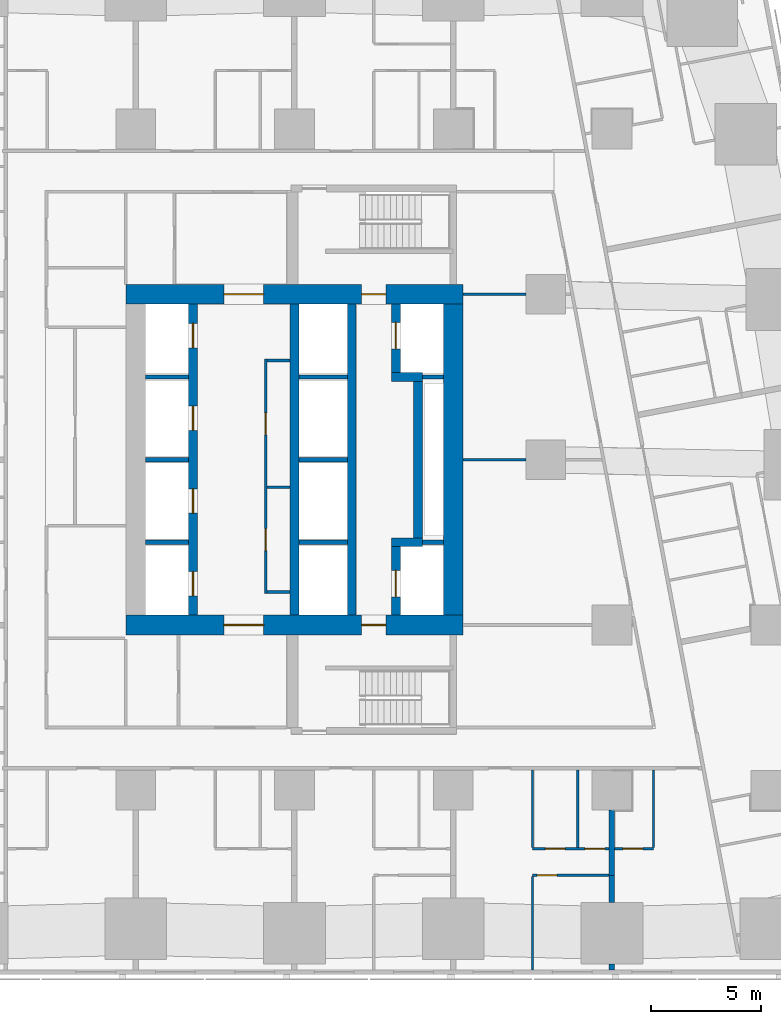
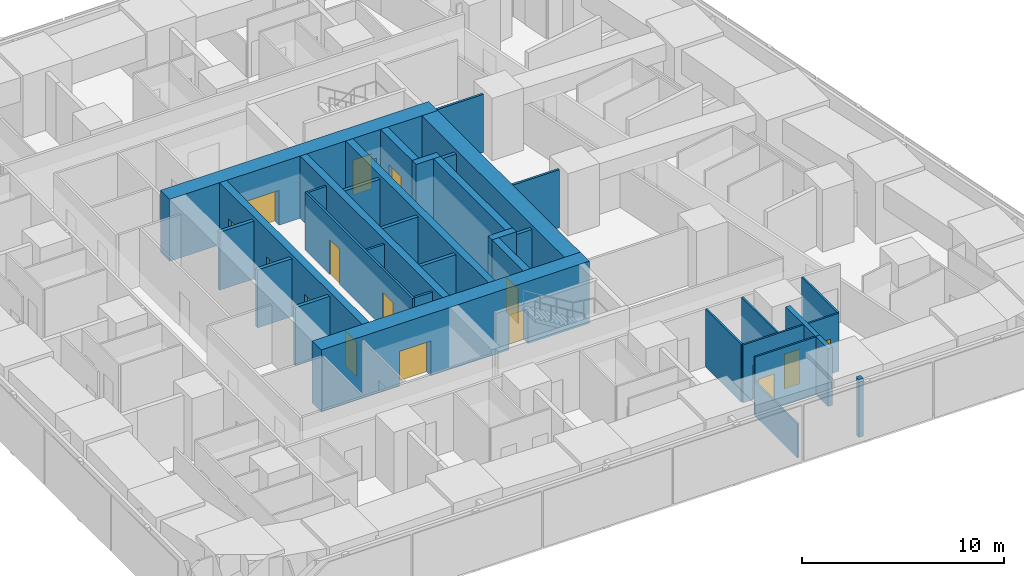
# One storey, part 5 of 15: 35 walls, 16 doors, 16 openings.
"""IFC4 building model written with IfcOpenShell, lengths in metres."""

from ifc_helpers import new_model, si_unit, direction, frame, frame_2d, origin, place, context, subcontext, project, spatial, rectangle, extrude, material, layer, layer_set, type_object, element, fill, save


model = new_model("IFC4")

# Units and contexts
model_context = context("Model", 3, precision=1e-05, world=origin(), true_north=direction((0.0, 1.0)))
body_context = subcontext(model_context, "Body", "Model", "MODEL_VIEW")
ifc_project = project(units=[si_unit("LENGTHUNIT", "METRE"), si_unit("AREAUNIT", "SQUARE_METRE"), si_unit("VOLUMEUNIT", "CUBIC_METRE"), si_unit("PLANEANGLEUNIT", "RADIAN"), si_unit("MASSUNIT", "GRAM", prefix="KILO")], contexts=[model_context])

# Site, building, storey
site_placement = place(None, origin())
site = spatial("IfcSite", under=ifc_project, at=site_placement, CompositionType="ELEMENT")
building_placement = place(site_placement, origin())
building = spatial("IfcBuilding", under=site, at=building_placement, Name="Sheger Commons Tower", CompositionType="ELEMENT")
storey_placement = place(building_placement, frame((0.0, 0.0, 50.0)))
storey = spatial("IfcBuildingStorey", under=building, at=storey_placement, Name="L12", CompositionType="ELEMENT", Elevation=50.0)

# Wall, openings, doors
ifc_material_1 = material(Name="Concrete C50/60", Category="concrete")
ifc_layer_1 = layer(ifc_material_1, 0.39990234375)
ifc_layer_set_1 = layer_set([ifc_layer_1], Name="CORE INNER WALL 400")
wall_type_1 = type_object("IfcWallType", Name="CORE INNER WALL 400", PredefinedType="SHEAR", material=ifc_layer_set_1)
wall_1_placement = place(storey_placement, frame((17.0, 15.449951171875, 0.0), z_axis=(0.0, 0.0, 1.0), x_axis=(0.0, 1.0, 0.0)))
wall_1 = element("IfcWall", 1, at=wall_1_placement, inside=storey, type_object=wall_type_1, Name="Core inner wall A L12", PredefinedType="SHEAR", context=body_context, shape_type="SweptSolid", body=[
    extrude(rectangle(XDim=14.10009765625, YDim=0.39990234375, at=frame_2d((7.050048828125, 0.0))), origin(), (0.0, 0.0, 1.0), 3.75),
])
opening_1_placement = place(wall_1_placement, frame((0.875, 0.0, 0.0)))
opening_1 = element("IfcOpeningElement", 2, at=opening_1_placement, cuts=wall_1, Name="Opening LD", PredefinedType="OPENING", context=body_context, shape_type="SweptSolid", body=[
    extrude(rectangle(XDim=1.10009765625, YDim=2.10009765625, at=frame_2d((0.550048828125, 1.050048828125))), frame((0.0, 0.2099609375, 0.0), z_axis=(0.0, -1.0, 0.0), x_axis=(1.0, 0.0, 0.0)), (0.0, 0.0, 1.0), 0.419921875),
])
opening_2_placement = place(wall_1_placement, frame((4.625, 0.0, 0.0)))
opening_2 = element("IfcOpeningElement", 3, at=opening_2_placement, cuts=wall_1, Name="Opening LD", PredefinedType="OPENING", context=body_context, shape_type="SweptSolid", body=[
    extrude(rectangle(XDim=1.10009765625, YDim=2.10009765625, at=frame_2d((0.550048828125, 1.050048828125))), frame((0.0, 0.2099609375, 0.0), z_axis=(0.0, -1.0, 0.0), x_axis=(1.0, 0.0, 0.0)), (0.0, 0.0, 1.0), 0.419921875),
])
opening_3_placement = place(wall_1_placement, frame((8.375, 0.0, 0.0)))
opening_3 = element("IfcOpeningElement", 4, at=opening_3_placement, cuts=wall_1, Name="Opening LD", PredefinedType="OPENING", context=body_context, shape_type="SweptSolid", body=[
    extrude(rectangle(XDim=1.10009765625, YDim=2.10009765625, at=frame_2d((0.550048828125, 1.050048828125))), frame((0.0, 0.2099609375, 0.0), z_axis=(0.0, -1.0, 0.0), x_axis=(1.0, 0.0, 0.0)), (0.0, 0.0, 1.0), 0.419921875),
])
opening_4_placement = place(wall_1_placement, frame((12.125, 0.0, 0.0)))
opening_4 = element("IfcOpeningElement", 5, at=opening_4_placement, cuts=wall_1, Name="Opening LD", PredefinedType="OPENING", context=body_context, shape_type="SweptSolid", body=[
    extrude(rectangle(XDim=1.10009765625, YDim=2.10009765625, at=frame_2d((0.550048828125, 1.050048828125))), frame((0.0, 0.2099609375, 0.0), z_axis=(0.0, -1.0, 0.0), x_axis=(1.0, 0.0, 0.0)), (0.0, 0.0, 1.0), 0.419921875),
])
ifc_material_2 = material(Name="Steel door set, fire rated", Category="steel")
door_type_1 = type_object("IfcDoorType", Name="LIFT LANDING DOOR 1100x2100", OperationType="DOUBLE_DOOR_SLIDING", PredefinedType="DOOR", material=ifc_material_2)
door_1_placement = place(opening_1_placement, origin())
door_1 = element("IfcDoor", 6, at=door_1_placement, inside=storey, type_object=door_type_1, Name="Lift LA1 landing door", OperationType="DOUBLE_DOOR_SLIDING", OverallHeight=2.10009765625, OverallWidth=1.10009765625, PredefinedType="DOOR", context=body_context, shape_type="SweptSolid", body=[
    extrude(rectangle(XDim=1.10009765625, YDim=2.10009765625, at=frame_2d((0.550048828125, 1.050048828125))), frame((0.0, 0.02490234375, 0.0), z_axis=(0.0, -1.0, 0.0), x_axis=(1.0, 0.0, 0.0)), (0.0, 0.0, 1.0), 0.050048828125),
])
fill(opening_1, door_1)
door_2_placement = place(opening_2_placement, origin())
door_2 = element("IfcDoor", 7, at=door_2_placement, inside=storey, type_object=door_type_1, Name="Lift LA2 landing door", OperationType="DOUBLE_DOOR_SLIDING", OverallHeight=2.10009765625, OverallWidth=1.10009765625, PredefinedType="DOOR", context=body_context, shape_type="SweptSolid", body=[
    extrude(rectangle(XDim=1.10009765625, YDim=2.10009765625, at=frame_2d((0.550048828125, 1.050048828125))), frame((0.0, 0.02490234375, 0.0), z_axis=(0.0, -1.0, 0.0), x_axis=(1.0, 0.0, 0.0)), (0.0, 0.0, 1.0), 0.050048828125),
])
fill(opening_2, door_2)
door_3_placement = place(opening_3_placement, origin())
door_3 = element("IfcDoor", 8, at=door_3_placement, inside=storey, type_object=door_type_1, Name="Lift LA3 landing door", OperationType="DOUBLE_DOOR_SLIDING", OverallHeight=2.10009765625, OverallWidth=1.10009765625, PredefinedType="DOOR", context=body_context, shape_type="SweptSolid", body=[
    extrude(rectangle(XDim=1.10009765625, YDim=2.10009765625, at=frame_2d((0.550048828125, 1.050048828125))), frame((0.0, 0.02490234375, 0.0), z_axis=(0.0, -1.0, 0.0), x_axis=(1.0, 0.0, 0.0)), (0.0, 0.0, 1.0), 0.050048828125),
])
fill(opening_3, door_3)
door_4_placement = place(opening_4_placement, origin())
door_4 = element("IfcDoor", 9, at=door_4_placement, inside=storey, type_object=door_type_1, Name="Lift LA4 landing door", OperationType="DOUBLE_DOOR_SLIDING", OverallHeight=2.10009765625, OverallWidth=1.10009765625, PredefinedType="DOOR", context=body_context, shape_type="SweptSolid", body=[
    extrude(rectangle(XDim=1.10009765625, YDim=2.10009765625, at=frame_2d((0.550048828125, 1.050048828125))), frame((0.0, 0.02490234375, 0.0), z_axis=(0.0, -1.0, 0.0), x_axis=(1.0, 0.0, 0.0)), (0.0, 0.0, 1.0), 0.050048828125),
])
fill(opening_4, door_4)

# Walls
for number, where, z_axis, x_axis, name in (
    (10, (21.60009765625, 15.449951171875, 0.0), (0.0, 0.0, 1.0), (0.0, 1.0, 0.0), "Core inner wall L L12"),
    (11, (24.199951171875, 15.449951171875, 0.0), (0.0, 0.0, 1.0), (0.0, 1.0, 0.0), "Core inner wall B L12"),
):
    element("IfcWall", number, at=place(storey_placement, frame(where, z_axis=z_axis, x_axis=x_axis)), inside=storey, type_object=wall_type_1, Name=name, PredefinedType="SHEAR", context=body_context, shape_type="SweptSolid", body=[
        extrude(rectangle(XDim=14.10009765625, YDim=0.39990234375, at=frame_2d((7.050048828125, 0.0))), origin(), (0.0, 0.0, 1.0), 3.75),
    ])

# Wall, opening, door
wall_2_placement = place(storey_placement, frame((26.199951171875, 15.449951171875, 0.0), z_axis=(0.0, 0.0, 1.0), x_axis=(0.0, 1.0, 0.0)))
wall_2 = element("IfcWall", 12, at=wall_2_placement, inside=storey, type_object=wall_type_1, Name="Core inner wall F L12", PredefinedType="SHEAR", context=body_context, shape_type="SweptSolid", body=[
    extrude(rectangle(XDim=3.10009765625, YDim=0.39990234375, at=frame_2d((1.550048828125, 0.0))), origin(), (0.0, 0.0, 1.0), 3.75),
])
opening_5_placement = place(wall_2_placement, frame((0.824951171875, 0.0, 0.0)))
opening_5 = element("IfcOpeningElement", 13, at=opening_5_placement, cuts=wall_2, Name="Opening LD2", PredefinedType="OPENING", context=body_context, shape_type="SweptSolid", body=[
    extrude(rectangle(XDim=1.199951171875, YDim=2.10009765625, at=frame_2d((0.60009765625, 1.050048828125))), frame((0.0, 0.2099609375, 0.0), z_axis=(0.0, -1.0, 0.0), x_axis=(1.0, 0.0, 0.0)), (0.0, 0.0, 1.0), 0.419921875),
])
ifc_material_3 = material(Name="Steel door set, fire rated", Category="steel")
door_type_2 = type_object("IfcDoorType", Name="FIREFIGHTING LIFT LANDING DOOR 1200x2100", OperationType="DOUBLE_DOOR_SLIDING", PredefinedType="DOOR", material=ifc_material_3)
door_5_placement = place(opening_5_placement, origin())
door_5 = element("IfcDoor", 14, at=door_5_placement, inside=storey, type_object=door_type_2, Name="Lift FL1 landing door", OperationType="DOUBLE_DOOR_SLIDING", OverallHeight=2.10009765625, OverallWidth=1.199951171875, PredefinedType="DOOR", context=body_context, shape_type="SweptSolid", body=[
    extrude(rectangle(XDim=1.199951171875, YDim=2.10009765625, at=frame_2d((0.60009765625, 1.050048828125))), frame((0.0, 0.02490234375, 0.0), z_axis=(0.0, -1.0, 0.0), x_axis=(1.0, 0.0, 0.0)), (0.0, 0.0, 1.0), 0.050048828125),
])
fill(opening_5, door_5)

# Walls
wall_3_placement = place(storey_placement, frame((26.0, 18.75, 0.0), z_axis=(0.0, 0.0, 1.0), x_axis=(1.0, 0.0, 0.0)))
element("IfcWall", 15, at=wall_3_placement, inside=storey, type_object=wall_type_1, Name="Core inner wall F south return L12", PredefinedType="SHEAR", context=body_context, shape_type="SweptSolid", body=[
    extrude(rectangle(XDim=1.39990234375, YDim=0.39990234375, at=frame_2d((0.699951171875, 0.0))), origin(), (0.0, 0.0, 1.0), 3.75),
])
wall_4_placement = place(storey_placement, frame((27.199951171875, 18.949951171875, 0.0), z_axis=(0.0, 0.0, 1.0), x_axis=(0.0, 1.0, 0.0)))
element("IfcWall", 16, at=wall_4_placement, inside=storey, type_object=wall_type_1, Name="Core inner wall F middle L12", PredefinedType="SHEAR", context=body_context, shape_type="SweptSolid", body=[
    extrude(rectangle(XDim=7.10009765625, YDim=0.39990234375, at=frame_2d((3.550048828125, 0.0))), origin(), (0.0, 0.0, 1.0), 3.75),
])
wall_5_placement = place(storey_placement, frame((26.0, 26.25, 0.0), z_axis=(0.0, 0.0, 1.0), x_axis=(1.0, 0.0, 0.0)))
element("IfcWall", 17, at=wall_5_placement, inside=storey, type_object=wall_type_1, Name="Core inner wall F north return L12", PredefinedType="SHEAR", context=body_context, shape_type="SweptSolid", body=[
    extrude(rectangle(XDim=1.39990234375, YDim=0.39990234375, at=frame_2d((0.699951171875, 0.0))), origin(), (0.0, 0.0, 1.0), 3.75),
])

# Wall, opening, door
wall_6_placement = place(storey_placement, frame((26.199951171875, 26.449951171875, 0.0), z_axis=(0.0, 0.0, 1.0), x_axis=(0.0, 1.0, 0.0)))
wall_6 = element("IfcWall", 18, at=wall_6_placement, inside=storey, type_object=wall_type_1, Name="Core inner wall F north L12", PredefinedType="SHEAR", context=body_context, shape_type="SweptSolid", body=[
    extrude(rectangle(XDim=3.10009765625, YDim=0.39990234375, at=frame_2d((1.550048828125, 0.0))), origin(), (0.0, 0.0, 1.0), 3.75),
])
opening_6_placement = place(wall_6_placement, frame((1.074951171875, 0.0, 0.0)))
opening_6 = element("IfcOpeningElement", 19, at=opening_6_placement, cuts=wall_6, Name="Opening LD2", PredefinedType="OPENING", context=body_context, shape_type="SweptSolid", body=[
    extrude(rectangle(XDim=1.199951171875, YDim=2.10009765625, at=frame_2d((0.60009765625, 1.050048828125))), frame((0.0, 0.2099609375, 0.0), z_axis=(0.0, -1.0, 0.0), x_axis=(1.0, 0.0, 0.0)), (0.0, 0.0, 1.0), 0.419921875),
])
door_6_placement = place(opening_6_placement, origin())
door_6 = element("IfcDoor", 20, at=door_6_placement, inside=storey, type_object=door_type_2, Name="Lift FL2 landing door", OperationType="DOUBLE_DOOR_SLIDING", OverallHeight=2.10009765625, OverallWidth=1.199951171875, PredefinedType="DOOR", context=body_context, shape_type="SweptSolid", body=[
    extrude(rectangle(XDim=1.199951171875, YDim=2.10009765625, at=frame_2d((0.60009765625, 1.050048828125))), frame((0.0, 0.02490234375, 0.0), z_axis=(0.0, -1.0, 0.0), x_axis=(1.0, 0.0, 0.0)), (0.0, 0.0, 1.0), 0.050048828125),
])
fill(opening_6, door_6)

# Wall, openings, doors
ifc_material_4 = material(Name="Concrete C50/60", Category="concrete")
ifc_layer_2 = layer(ifc_material_4, 0.89990234375)
ifc_layer_set_2 = layer_set([ifc_layer_2], Name="CORE WALL 900")
wall_type_2 = type_object("IfcWallType", Name="CORE WALL 900", PredefinedType="SHEAR", material=ifc_layer_set_2)
wall_7_placement = place(storey_placement, frame((13.949951171875, 15.0, 0.0), z_axis=(0.0, 0.0, 1.0), x_axis=(1.0, 0.0, 0.0)))
wall_7 = element("IfcWall", 21, at=wall_7_placement, inside=storey, type_object=wall_type_2, Name="Core wall south L12", PredefinedType="SHEAR", context=body_context, shape_type="SweptSolid", body=[
    extrude(rectangle(XDim=15.300048828125, YDim=0.89990234375, at=frame_2d((7.64990234375, 0.0))), origin(), (0.0, 0.0, 1.0), 3.75),
])
opening_7_placement = place(wall_7_placement, frame((4.449951171875, 0.0, 0.0)))
opening_7 = element("IfcOpeningElement", 22, at=opening_7_placement, cuts=wall_7, Name="Opening D6", PredefinedType="OPENING", context=body_context, shape_type="SweptSolid", body=[
    extrude(rectangle(XDim=1.800048828125, YDim=2.10009765625, at=frame_2d((0.89990234375, 1.050048828125))), frame((0.0, 0.4599609375, 0.0), z_axis=(0.0, -1.0, 0.0), x_axis=(1.0, 0.0, 0.0)), (0.0, 0.0, 1.0), 0.919921875),
])
opening_8_placement = place(wall_7_placement, frame((10.699951171875, 0.0, 0.0)))
opening_8 = element("IfcOpeningElement", 23, at=opening_8_placement, cuts=wall_7, Name="Opening D5", PredefinedType="OPENING", context=body_context, shape_type="SweptSolid", body=[
    extrude(rectangle(XDim=1.10009765625, YDim=2.10009765625, at=frame_2d((0.550048828125, 1.050048828125))), frame((0.0, 0.4599609375, 0.0), z_axis=(0.0, -1.0, 0.0), x_axis=(1.0, 0.0, 0.0)), (0.0, 0.0, 1.0), 0.919921875),
])
ifc_material_5 = material(Name="Steel door set, fire rated", Category="steel")
door_type_3 = type_object("IfcDoorType", Name="LOBBY DOUBLE DOOR 1800x2100", OperationType="DOUBLE_DOOR_SINGLE_SWING", PredefinedType="DOOR", material=ifc_material_5)
door_7_placement = place(opening_7_placement, origin())
door_7 = element("IfcDoor", 24, at=door_7_placement, inside=storey, type_object=door_type_3, Name="Lift lobby door", OperationType="DOUBLE_DOOR_SINGLE_SWING", OverallHeight=2.10009765625, OverallWidth=1.800048828125, PredefinedType="DOOR", context=body_context, shape_type="SweptSolid", body=[
    extrude(rectangle(XDim=1.800048828125, YDim=2.10009765625, at=frame_2d((0.89990234375, 1.050048828125))), frame((0.0, 0.02490234375, 0.0), z_axis=(0.0, -1.0, 0.0), x_axis=(1.0, 0.0, 0.0)), (0.0, 0.0, 1.0), 0.050048828125),
])
fill(opening_7, door_7)
ifc_material_6 = material(Name="Steel door set, fire rated", Category="steel")
door_type_4 = type_object("IfcDoorType", Name="STAIR DOOR 1100x2100", OperationType="NOTDEFINED", PredefinedType="DOOR", material=ifc_material_6)
door_8_placement = place(opening_8_placement, origin())
door_8 = element("IfcDoor", 25, at=door_8_placement, inside=storey, type_object=door_type_4, Name="Fire-fighting lobby door", OperationType="SINGLE_SWING_LEFT", OverallHeight=2.10009765625, OverallWidth=1.10009765625, PredefinedType="DOOR", context=body_context, shape_type="SweptSolid", body=[
    extrude(rectangle(XDim=1.10009765625, YDim=2.10009765625, at=frame_2d((0.550048828125, 1.050048828125))), frame((0.0, 0.02490234375, 0.0), z_axis=(0.0, -1.0, 0.0), x_axis=(1.0, 0.0, 0.0)), (0.0, 0.0, 1.0), 0.050048828125),
])
fill(opening_8, door_8)

wall_8_placement = place(storey_placement, frame((13.949951171875, 30.0, 0.0), z_axis=(0.0, 0.0, 1.0), x_axis=(1.0, 0.0, 0.0)))
wall_8 = element("IfcWall", 26, at=wall_8_placement, inside=storey, type_object=wall_type_2, Name="Core wall north L12", PredefinedType="SHEAR", context=body_context, shape_type="SweptSolid", body=[
    extrude(rectangle(XDim=15.300048828125, YDim=0.89990234375, at=frame_2d((7.64990234375, 0.0))), origin(), (0.0, 0.0, 1.0), 3.75),
])
opening_9_placement = place(wall_8_placement, frame((4.449951171875, 0.0, 0.0)))
opening_9 = element("IfcOpeningElement", 27, at=opening_9_placement, cuts=wall_8, Name="Opening D6", PredefinedType="OPENING", context=body_context, shape_type="SweptSolid", body=[
    extrude(rectangle(XDim=1.800048828125, YDim=2.10009765625, at=frame_2d((0.89990234375, 1.050048828125))), frame((0.0, 0.4599609375, 0.0), z_axis=(0.0, -1.0, 0.0), x_axis=(1.0, 0.0, 0.0)), (0.0, 0.0, 1.0), 0.919921875),
])
opening_10_placement = place(wall_8_placement, frame((10.699951171875, 0.0, 0.0)))
opening_10 = element("IfcOpeningElement", 28, at=opening_10_placement, cuts=wall_8, Name="Opening D5", PredefinedType="OPENING", context=body_context, shape_type="SweptSolid", body=[
    extrude(rectangle(XDim=1.10009765625, YDim=2.10009765625, at=frame_2d((0.550048828125, 1.050048828125))), frame((0.0, 0.4599609375, 0.0), z_axis=(0.0, -1.0, 0.0), x_axis=(1.0, 0.0, 0.0)), (0.0, 0.0, 1.0), 0.919921875),
])
door_9_placement = place(opening_9_placement, origin())
door_9 = element("IfcDoor", 29, at=door_9_placement, inside=storey, type_object=door_type_3, Name="Lift lobby door", OperationType="DOUBLE_DOOR_SINGLE_SWING", OverallHeight=2.10009765625, OverallWidth=1.800048828125, PredefinedType="DOOR", context=body_context, shape_type="SweptSolid", body=[
    extrude(rectangle(XDim=1.800048828125, YDim=2.10009765625, at=frame_2d((0.89990234375, 1.050048828125))), frame((0.0, 0.02490234375, 0.0), z_axis=(0.0, -1.0, 0.0), x_axis=(1.0, 0.0, 0.0)), (0.0, 0.0, 1.0), 0.050048828125),
])
fill(opening_9, door_9)
door_10_placement = place(opening_10_placement, origin())
door_10 = element("IfcDoor", 30, at=door_10_placement, inside=storey, type_object=door_type_4, Name="Fire-fighting lobby door", OperationType="SINGLE_SWING_LEFT", OverallHeight=2.10009765625, OverallWidth=1.10009765625, PredefinedType="DOOR", context=body_context, shape_type="SweptSolid", body=[
    extrude(rectangle(XDim=1.10009765625, YDim=2.10009765625, at=frame_2d((0.550048828125, 1.050048828125))), frame((0.0, 0.02490234375, 0.0), z_axis=(0.0, -1.0, 0.0), x_axis=(1.0, 0.0, 0.0)), (0.0, 0.0, 1.0), 0.050048828125),
])
fill(opening_10, door_10)

# Walls
wall_9_placement = place(storey_placement, frame((28.800048828125, 15.449951171875, 0.0), z_axis=(0.0, 0.0, 1.0), x_axis=(0.0, 1.0, 0.0)))
element("IfcWall", 31, at=wall_9_placement, inside=storey, type_object=wall_type_2, Name="Core wall east L12", PredefinedType="SHEAR", context=body_context, shape_type="SweptSolid", body=[
    extrude(rectangle(XDim=14.10009765625, YDim=0.89990234375, at=frame_2d((7.050048828125, 0.0))), origin(), (0.0, 0.0, 1.0), 3.75),
])
ifc_material_7 = material(Name="Dense concrete block masonry, plastered both sides (separating wall between flats)", Category="masonry")
ifc_layer_3 = layer(ifc_material_7, 0.25)
ifc_layer_set_3 = layer_set([ifc_layer_3], Name="DEMISING WALL 250")
wall_type_3 = type_object("IfcWallType", Name="DEMISING WALL 250", PredefinedType="SOLIDWALL", material=ifc_layer_set_3)
wall_10_placement = place(storey_placement, frame((36.0, -0.64990234375, 0.0), z_axis=(0.0, 0.0, 1.0), x_axis=(0.0, 1.0, 0.0)))
element("IfcWall", 32, at=wall_10_placement, inside=storey, type_object=wall_type_3, Name="Demising wall L12", PredefinedType="SOLIDWALL", context=body_context, shape_type="SweptSolid", body=[
    extrude(rectangle(XDim=0.27392578125, YDim=0.25, at=frame_2d((0.136962890625, 0.0))), origin(), (0.0, 0.0, 1.0), 3.5),
])
wall_11_placement = place(storey_placement, frame((36.0, 2.426025390625, 0.0), z_axis=(0.0, 0.0, 1.0), x_axis=(0.0, 1.0, 0.0)))
element("IfcWall", 33, at=wall_11_placement, inside=storey, type_object=wall_type_3, Name="Demising wall L12", PredefinedType="SOLIDWALL", context=body_context, shape_type="SweptSolid", body=[
    extrude(rectangle(XDim=1.223876953125, YDim=0.25, at=frame_2d((0.61181640625, 0.0))), origin(), (0.0, 0.0, 1.0), 3.5),
])
wall_12_placement = place(storey_placement, frame((36.0, 3.64990234375, 0.0), z_axis=(0.0, 0.0, 1.0), x_axis=(0.0, 1.0, 0.0)))
element("IfcWall", 34, at=wall_12_placement, inside=storey, type_object=wall_type_3, Name="Demising wall L12", PredefinedType="SOLIDWALL", context=body_context, shape_type="SweptSolid", body=[
    extrude(rectangle(XDim=2.94921875, YDim=0.25, at=frame_2d((1.474609375, 0.0))), origin(), (0.0, 0.0, 1.0), 3.5),
])

# Wall, opening, door
ifc_material_8 = material(Name="Gypsum board on steel studs", Category="steel")
ifc_layer_4 = layer(ifc_material_8, 0.10009765625)
ifc_layer_set_4 = layer_set([ifc_layer_4], Name="PARTITION 100")
wall_type_4 = type_object("IfcWallType", Name="PARTITION 100", PredefinedType="PARTITIONING", material=ifc_layer_set_4)
wall_13_placement = place(storey_placement, frame((35.875, 3.64990234375, 0.0), z_axis=(0.0, 0.0, 1.0), x_axis=(-1.0, 0.0, 0.0)))
wall_13 = element("IfcWall", 35, at=wall_13_placement, inside=storey, type_object=wall_type_4, Name="Partition L12", PredefinedType="PARTITIONING", context=body_context, shape_type="SweptSolid", body=[
    extrude(rectangle(XDim=3.47509765625, YDim=0.10009765625, at=frame_2d((1.737548828125, 0.0))), origin(), (0.0, 0.0, 1.0), 3.5),
])
opening_11_placement = place(wall_13_placement, frame((2.375, 0.0, 0.0)))
opening_11 = element("IfcOpeningElement", 36, at=opening_11_placement, cuts=wall_13, Name="Opening D2", PredefinedType="OPENING", context=body_context, shape_type="SweptSolid", body=[
    extrude(rectangle(XDim=0.89990234375, YDim=2.10009765625, at=frame_2d((0.449951171875, 1.050048828125))), frame((0.0, 0.06005859375, 0.0), z_axis=(0.0, -1.0, 0.0), x_axis=(1.0, 0.0, 0.0)), (0.0, 0.0, 1.0), 0.1201171875),
])
ifc_material_9 = material(Name="Timber door set", Category="wood")
door_type_5 = type_object("IfcDoorType", Name="INTERNAL DOOR 900x2100", OperationType="NOTDEFINED", PredefinedType="DOOR", material=ifc_material_9)
door_11_placement = place(opening_11_placement, origin())
door_11 = element("IfcDoor", 37, at=door_11_placement, inside=storey, type_object=door_type_5, Name="Main bedroom door", OperationType="SINGLE_SWING_RIGHT", OverallHeight=2.10009765625, OverallWidth=0.89990234375, PredefinedType="DOOR", context=body_context, shape_type="SweptSolid", body=[
    extrude(rectangle(XDim=0.89990234375, YDim=2.10009765625, at=frame_2d((0.449951171875, 1.050048828125))), frame((0.0, 0.02490234375, 0.0), z_axis=(0.0, -1.0, 0.0), x_axis=(1.0, 0.0, 0.0)), (0.0, 0.0, 1.0), 0.050048828125),
])
fill(opening_11, door_11)

# Wall, openings, doors
wall_14_placement = place(storey_placement, frame((35.875, 4.85009765625, 0.0), z_axis=(0.0, 0.0, 1.0), x_axis=(-1.0, 0.0, 0.0)))
wall_14 = element("IfcWall", 38, at=wall_14_placement, inside=storey, type_object=wall_type_4, Name="Partition L12", PredefinedType="PARTITIONING", context=body_context, shape_type="SweptSolid", body=[
    extrude(rectangle(XDim=3.47509765625, YDim=0.10009765625, at=frame_2d((1.737548828125, 0.0))), origin(), (0.0, 0.0, 1.0), 3.5),
])
opening_12_placement = place(wall_14_placement, frame((2.0, 0.0, 0.0)))
opening_12 = element("IfcOpeningElement", 39, at=opening_12_placement, cuts=wall_14, Name="Opening D2", PredefinedType="OPENING", context=body_context, shape_type="SweptSolid", body=[
    extrude(rectangle(XDim=0.89990234375, YDim=2.10009765625, at=frame_2d((0.449951171875, 1.050048828125))), frame((0.0, 0.06005859375, 0.0), z_axis=(0.0, -1.0, 0.0), x_axis=(1.0, 0.0, 0.0)), (0.0, 0.0, 1.0), 0.1201171875),
])
opening_13_placement = place(wall_14_placement, frame((0.199951171875, 0.0, 0.0)))
opening_13 = element("IfcOpeningElement", 40, at=opening_13_placement, cuts=wall_14, Name="Opening D2", PredefinedType="OPENING", context=body_context, shape_type="SweptSolid", body=[
    extrude(rectangle(XDim=0.89990234375, YDim=2.10009765625, at=frame_2d((0.449951171875, 1.050048828125))), frame((0.0, 0.06005859375, 0.0), z_axis=(0.0, -1.0, 0.0), x_axis=(1.0, 0.0, 0.0)), (0.0, 0.0, 1.0), 0.1201171875),
])
door_12_placement = place(opening_12_placement, origin())
door_12 = element("IfcDoor", 41, at=door_12_placement, inside=storey, type_object=door_type_5, Name="Bathroom door", OperationType="SINGLE_SWING_LEFT", OverallHeight=2.10009765625, OverallWidth=0.89990234375, PredefinedType="DOOR", context=body_context, shape_type="SweptSolid", body=[
    extrude(rectangle(XDim=0.89990234375, YDim=2.10009765625, at=frame_2d((0.449951171875, 1.050048828125))), frame((0.0, 0.02490234375, 0.0), z_axis=(0.0, -1.0, 0.0), x_axis=(1.0, 0.0, 0.0)), (0.0, 0.0, 1.0), 0.050048828125),
])
fill(opening_12, door_12)
door_13_placement = place(opening_13_placement, origin())
door_13 = element("IfcDoor", 42, at=door_13_placement, inside=storey, type_object=door_type_5, Name="Store door", OperationType="SINGLE_SWING_RIGHT", OverallHeight=2.10009765625, OverallWidth=0.89990234375, PredefinedType="DOOR", context=body_context, shape_type="SweptSolid", body=[
    extrude(rectangle(XDim=0.89990234375, YDim=2.10009765625, at=frame_2d((0.449951171875, 1.050048828125))), frame((0.0, 0.02490234375, 0.0), z_axis=(0.0, -1.0, 0.0), x_axis=(1.0, 0.0, 0.0)), (0.0, 0.0, 1.0), 0.050048828125),
])
fill(opening_13, door_13)

# Walls
wall_15_placement = place(storey_placement, frame((32.39990234375, -0.64990234375, 0.0), z_axis=(0.0, 0.0, 1.0), x_axis=(0.0, 1.0, 0.0)))
element("IfcWall", 43, at=wall_15_placement, inside=storey, type_object=wall_type_4, Name="Partition L12", PredefinedType="PARTITIONING", context=body_context, shape_type="SweptSolid", body=[
    extrude(rectangle(XDim=4.25, YDim=0.10009765625, at=frame_2d((2.125, 0.0))), origin(), (0.0, 0.0, 1.0), 2.050048828125),
])
for number, where, z_axis, x_axis, name in (
    (44, (32.39990234375, 4.89990234375, 0.0), (0.0, 0.0, 1.0), (0.0, 1.0, 0.0), "Partition L12"),
    (45, (34.449951171875, 4.89990234375, 0.0), (0.0, 0.0, 1.0), (0.0, 1.0, 0.0), "Partition L12"),
):
    element("IfcWall", number, at=place(storey_placement, frame(where, z_axis=z_axis, x_axis=x_axis)), inside=storey, type_object=wall_type_4, Name=name, PredefinedType="PARTITIONING", context=body_context, shape_type="SweptSolid", body=[
        extrude(rectangle(XDim=3.525146484375, YDim=0.10009765625, at=frame_2d((1.7626953125, 0.0))), origin(), (0.0, 0.0, 1.0), 3.5),
    ])

# Wall, opening, door
wall_16_placement = place(storey_placement, frame((37.889892578125, 4.85009765625, 0.0), z_axis=(0.0, 0.0, 1.0), x_axis=(-1.0, 0.0, 0.0)))
wall_16 = element("IfcWall", 46, at=wall_16_placement, inside=storey, type_object=wall_type_4, Name="Partition L12", PredefinedType="PARTITIONING", context=body_context, shape_type="SweptSolid", body=[
    extrude(rectangle(XDim=1.764892578125, YDim=0.10009765625, at=frame_2d((0.88232421875, 0.0))), origin(), (0.0, 0.0, 1.0), 3.5),
])
opening_14_placement = place(wall_16_placement, frame((0.489990234375, 0.0, 0.0)))
opening_14 = element("IfcOpeningElement", 47, at=opening_14_placement, cuts=wall_16, Name="Opening D2", PredefinedType="OPENING", context=body_context, shape_type="SweptSolid", body=[
    extrude(rectangle(XDim=0.89990234375, YDim=2.10009765625, at=frame_2d((0.449951171875, 1.050048828125))), frame((0.0, 0.06005859375, 0.0), z_axis=(0.0, -1.0, 0.0), x_axis=(1.0, 0.0, 0.0)), (0.0, 0.0, 1.0), 0.1201171875),
])
door_14_placement = place(opening_14_placement, origin())
door_14 = element("IfcDoor", 48, at=door_14_placement, inside=storey, type_object=door_type_5, Name="Shower room door", OperationType="SINGLE_SWING_LEFT", OverallHeight=2.10009765625, OverallWidth=0.89990234375, PredefinedType="DOOR", context=body_context, shape_type="SweptSolid", body=[
    extrude(rectangle(XDim=0.89990234375, YDim=2.10009765625, at=frame_2d((0.449951171875, 1.050048828125))), frame((0.0, 0.02490234375, 0.0), z_axis=(0.0, -1.0, 0.0), x_axis=(1.0, 0.0, 0.0)), (0.0, 0.0, 1.0), 0.050048828125),
])
fill(opening_14, door_14)

# Walls
wall_17_placement = place(storey_placement, frame((37.889892578125, 4.89990234375, 0.0), z_axis=(0.0, 0.0, 1.0), x_axis=(0.0, 1.0, 0.0)))
element("IfcWall", 49, at=wall_17_placement, inside=storey, type_object=wall_type_4, Name="Partition L12", PredefinedType="PARTITIONING", context=body_context, shape_type="SweptSolid", body=[
    extrude(rectangle(XDim=3.525146484375, YDim=0.10009765625, at=frame_2d((1.7626953125, 0.0))), origin(), (0.0, 0.0, 1.0), 3.5),
])
ifc_material_10 = material(Name="Gypsum board on steel studs, two layers each side, fire rated", Category="steel")
ifc_layer_5 = layer(ifc_material_10, 0.125)
ifc_layer_set_5 = layer_set([ifc_layer_5], Name="SERVICE WALL 125")
wall_type_5 = type_object("IfcWallType", Name="SERVICE WALL 125", PredefinedType="PARTITIONING", material=ifc_layer_set_5)
for number, where, z_axis, x_axis, name in (
    (50, (29.25, 22.5, 0.0), (0.0, 0.0, 1.0), (1.0, 0.0, 0.0), "Service room wall L12"),
    (51, (29.25, 30.0, 0.0), (0.0, 0.0, 1.0), (1.0, 0.0, 0.0), "Service room wall L12"),
):
    element("IfcWall", number, at=place(storey_placement, frame(where, z_axis=z_axis, x_axis=x_axis)), inside=storey, type_object=wall_type_5, Name=name, PredefinedType="PARTITIONING", context=body_context, shape_type="SweptSolid", body=[
        extrude(rectangle(XDim=2.84912109375, YDim=0.125, at=frame_2d((1.424560546875, 0.0))), origin(), (0.0, 0.0, 1.0), 3.5),
    ])

# Wall, openings, doors
wall_18_placement = place(storey_placement, frame((20.300048828125, 16.43798828125, 0.0), z_axis=(0.0, 0.0, 1.0), x_axis=(0.0, 1.0, 0.0)))
wall_18 = element("IfcWall", 52, at=wall_18_placement, inside=storey, type_object=wall_type_5, Name="Service room wall L12", PredefinedType="PARTITIONING", context=body_context, shape_type="SweptSolid", body=[
    extrude(rectangle(XDim=10.6240234375, YDim=0.125, at=frame_2d((5.31201171875, 0.0))), origin(), (0.0, 0.0, 1.0), 3.5),
])
opening_15_placement = place(wall_18_placement, frame((1.93701171875, 0.0, 0.0)))
opening_15 = element("IfcOpeningElement", 53, at=opening_15_placement, cuts=wall_18, Name="Opening D4", PredefinedType="OPENING", context=body_context, shape_type="SweptSolid", body=[
    extrude(rectangle(XDim=1.0, YDim=2.10009765625, at=frame_2d((0.5, 1.050048828125))), frame((0.0, 0.072509765625, 0.0), z_axis=(0.0, -1.0, 0.0), x_axis=(1.0, 0.0, 0.0)), (0.0, 0.0, 1.0), 0.14501953125),
])
opening_16_placement = place(wall_18_placement, frame((7.18701171875, 0.0, 0.0)))
opening_16 = element("IfcOpeningElement", 54, at=opening_16_placement, cuts=wall_18, Name="Opening D4", PredefinedType="OPENING", context=body_context, shape_type="SweptSolid", body=[
    extrude(rectangle(XDim=1.0, YDim=2.10009765625, at=frame_2d((0.5, 1.050048828125))), frame((0.0, 0.072509765625, 0.0), z_axis=(0.0, -1.0, 0.0), x_axis=(1.0, 0.0, 0.0)), (0.0, 0.0, 1.0), 0.14501953125),
])
ifc_material_11 = material(Name="Steel door set, fire rated", Category="steel")
door_type_6 = type_object("IfcDoorType", Name="SERVICE DOOR 1000x2100", OperationType="NOTDEFINED", PredefinedType="DOOR", material=ifc_material_11)
door_15_placement = place(opening_15_placement, origin())
door_15 = element("IfcDoor", 55, at=door_15_placement, inside=storey, type_object=door_type_6, Name="Electrical cupboard door", OperationType="SINGLE_SWING_RIGHT", OverallHeight=2.10009765625, OverallWidth=1.0, PredefinedType="DOOR", context=body_context, shape_type="SweptSolid", body=[
    extrude(rectangle(XDim=1.0, YDim=2.10009765625, at=frame_2d((0.5, 1.050048828125))), frame((0.0, 0.02490234375, 0.0), z_axis=(0.0, -1.0, 0.0), x_axis=(1.0, 0.0, 0.0)), (0.0, 0.0, 1.0), 0.050048828125),
])
fill(opening_15, door_15)
door_16_placement = place(opening_16_placement, origin())
door_16 = element("IfcDoor", 56, at=door_16_placement, inside=storey, type_object=door_type_6, Name="Cleaner's cupboard door", OperationType="SINGLE_SWING_LEFT", OverallHeight=2.10009765625, OverallWidth=1.0, PredefinedType="DOOR", context=body_context, shape_type="SweptSolid", body=[
    extrude(rectangle(XDim=1.0, YDim=2.10009765625, at=frame_2d((0.5, 1.050048828125))), frame((0.0, 0.02490234375, 0.0), z_axis=(0.0, -1.0, 0.0), x_axis=(1.0, 0.0, 0.0)), (0.0, 0.0, 1.0), 0.050048828125),
])
fill(opening_16, door_16)

# Walls
for number, where, z_axis, x_axis, name in (
    (57, (20.363037109375, 16.5, 0.0), (0.0, 0.0, 1.0), (1.0, 0.0, 0.0), "Service room wall L12"),
    (58, (20.363037109375, 27.0, 0.0), (0.0, 0.0, 1.0), (1.0, 0.0, 0.0), "Service room wall L12"),
    (59, (20.363037109375, 21.25, 0.0), (0.0, 0.0, 1.0), (1.0, 0.0, 0.0), "Service room wall L12"),
):
    element("IfcWall", number, at=place(storey_placement, frame(where, z_axis=z_axis, x_axis=x_axis)), inside=storey, type_object=wall_type_5, Name=name, PredefinedType="PARTITIONING", context=body_context, shape_type="SweptSolid", body=[
        extrude(rectangle(XDim=1.036865234375, YDim=0.125, at=frame_2d((0.5185546875, 0.0))), origin(), (0.0, 0.0, 1.0), 3.5),
    ])
ifc_material_12 = material(Name="Hollow concrete block masonry", Category="masonry")
ifc_layer_6 = layer(ifc_material_12, 0.199951171875)
ifc_layer_set_6 = layer_set([ifc_layer_6], Name="SHAFT WALL 200")
wall_type_6 = type_object("IfcWallType", Name="SHAFT WALL 200", PredefinedType="SOLIDWALL", material=ifc_layer_set_6)
wall_19_placement = place(storey_placement, frame((14.85009765625, 18.75, 0.0), z_axis=(0.0, 0.0, 1.0), x_axis=(1.0, 0.0, 0.0)))
element("IfcWall", 60, at=wall_19_placement, inside=storey, type_object=wall_type_6, Name="Lift shaft wall L12", PredefinedType="SOLIDWALL", context=body_context, shape_type="SweptSolid", body=[
    extrude(rectangle(XDim=1.949951171875, YDim=0.199951171875, at=frame_2d((0.97509765625, 0.0))), origin(), (0.0, 0.0, 1.0), 3.5),
])
wall_20_placement = place(storey_placement, frame((21.800048828125, 18.75, 0.0), z_axis=(0.0, 0.0, 1.0), x_axis=(1.0, 0.0, 0.0)))
element("IfcWall", 61, at=wall_20_placement, inside=storey, type_object=wall_type_6, Name="Lift shaft wall L12", PredefinedType="SOLIDWALL", context=body_context, shape_type="SweptSolid", body=[
    extrude(rectangle(XDim=2.199951171875, YDim=0.199951171875, at=frame_2d((1.10009765625, 0.0))), origin(), (0.0, 0.0, 1.0), 3.5),
])
wall_21_placement = place(storey_placement, frame((14.85009765625, 22.5, 0.0), z_axis=(0.0, 0.0, 1.0), x_axis=(1.0, 0.0, 0.0)))
element("IfcWall", 62, at=wall_21_placement, inside=storey, type_object=wall_type_6, Name="Lift shaft wall L12", PredefinedType="SOLIDWALL", context=body_context, shape_type="SweptSolid", body=[
    extrude(rectangle(XDim=1.949951171875, YDim=0.199951171875, at=frame_2d((0.97509765625, 0.0))), origin(), (0.0, 0.0, 1.0), 3.5),
])
wall_22_placement = place(storey_placement, frame((21.800048828125, 22.5, 0.0), z_axis=(0.0, 0.0, 1.0), x_axis=(1.0, 0.0, 0.0)))
element("IfcWall", 63, at=wall_22_placement, inside=storey, type_object=wall_type_6, Name="Lift shaft wall L12", PredefinedType="SOLIDWALL", context=body_context, shape_type="SweptSolid", body=[
    extrude(rectangle(XDim=2.199951171875, YDim=0.199951171875, at=frame_2d((1.10009765625, 0.0))), origin(), (0.0, 0.0, 1.0), 3.5),
])
wall_23_placement = place(storey_placement, frame((14.85009765625, 26.25, 0.0), z_axis=(0.0, 0.0, 1.0), x_axis=(1.0, 0.0, 0.0)))
element("IfcWall", 64, at=wall_23_placement, inside=storey, type_object=wall_type_6, Name="Lift shaft wall L12", PredefinedType="SOLIDWALL", context=body_context, shape_type="SweptSolid", body=[
    extrude(rectangle(XDim=1.949951171875, YDim=0.199951171875, at=frame_2d((0.97509765625, 0.0))), origin(), (0.0, 0.0, 1.0), 3.5),
])
wall_24_placement = place(storey_placement, frame((21.800048828125, 26.25, 0.0), z_axis=(0.0, 0.0, 1.0), x_axis=(1.0, 0.0, 0.0)))
element("IfcWall", 65, at=wall_24_placement, inside=storey, type_object=wall_type_6, Name="Lift shaft wall L12", PredefinedType="SOLIDWALL", context=body_context, shape_type="SweptSolid", body=[
    extrude(rectangle(XDim=2.199951171875, YDim=0.199951171875, at=frame_2d((1.10009765625, 0.0))), origin(), (0.0, 0.0, 1.0), 3.5),
])
for number, where, z_axis, x_axis, name in (
    (66, (27.39990234375, 18.75, 0.0), (0.0, 0.0, 1.0), (1.0, 0.0, 0.0), "Lift shaft wall L12"),
    (67, (27.39990234375, 26.25, 0.0), (0.0, 0.0, 1.0), (1.0, 0.0, 0.0), "Lift shaft wall L12"),
):
    element("IfcWall", number, at=place(storey_placement, frame(where, z_axis=z_axis, x_axis=x_axis)), inside=storey, type_object=wall_type_6, Name=name, PredefinedType="SOLIDWALL", context=body_context, shape_type="SweptSolid", body=[
        extrude(rectangle(XDim=0.9501953125, YDim=0.199951171875, at=frame_2d((0.47509765625, 0.0))), origin(), (0.0, 0.0, 1.0), 3.5),
    ])

save(model, "model.ifc")
